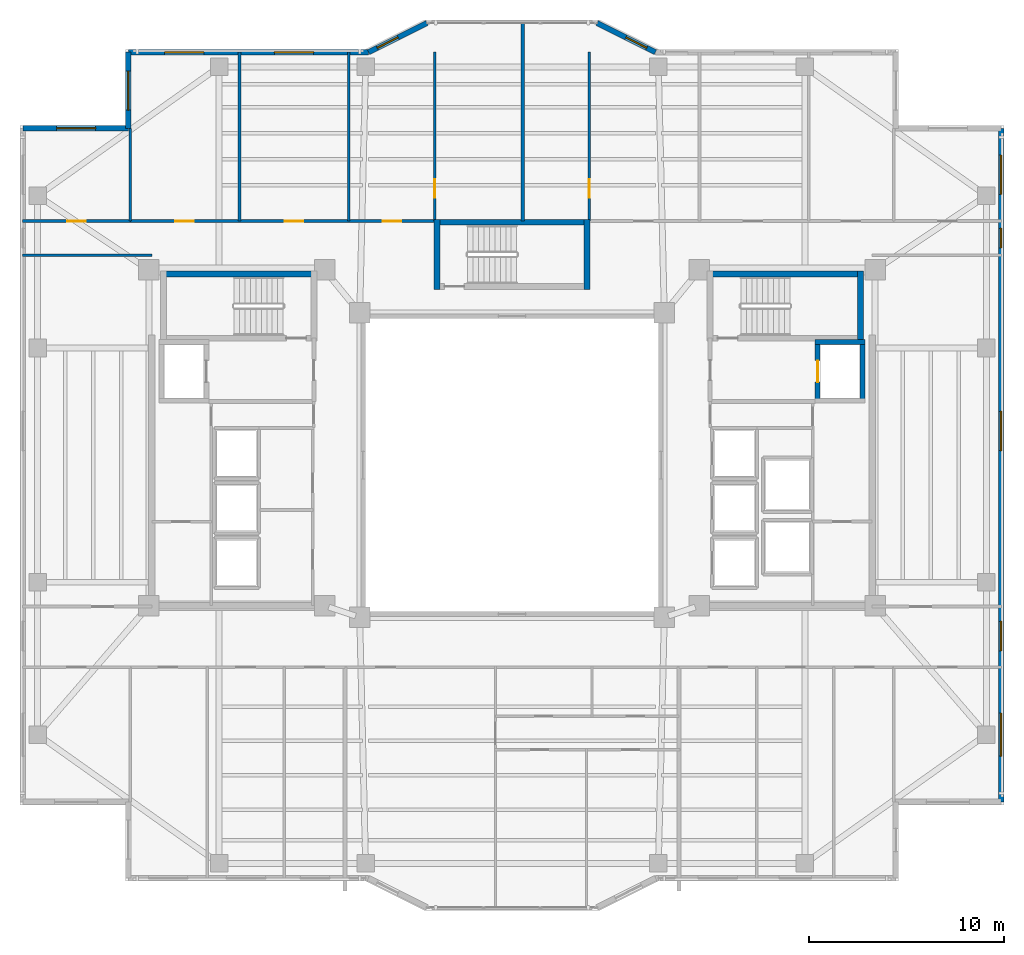
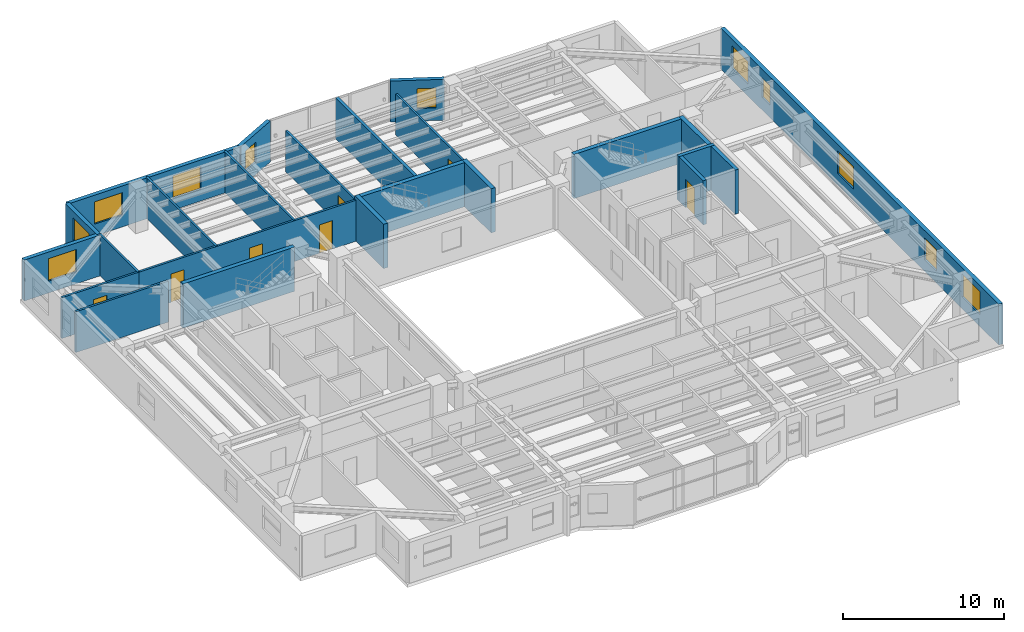
# One storey, part 9 of 15: 24 walls, 11 windows, 7 doors, 18 openings.
"""IFC4 building model written with IfcOpenShell, lengths in metres."""

from ifc_helpers import new_model, si_unit, direction, frame, frame_2d, origin, place, context, subcontext, project, spatial, rectangle, extrude, material, layer, layer_set, type_object, element, fill, save


model = new_model("IFC4")

# Units and contexts
model_context = context("Model", 3, precision=1e-05, world=origin(), true_north=direction((0.0, 1.0)))
body_context = subcontext(model_context, "Body", "Model", "MODEL_VIEW")
ifc_project = project(units=[si_unit("LENGTHUNIT", "METRE"), si_unit("AREAUNIT", "SQUARE_METRE"), si_unit("VOLUMEUNIT", "CUBIC_METRE"), si_unit("PLANEANGLEUNIT", "RADIAN"), si_unit("MASSUNIT", "GRAM", prefix="KILO")], contexts=[model_context])

# Site, building, storey
site_placement = place(None, origin())
site = spatial("IfcSite", under=ifc_project, at=site_placement, CompositionType="ELEMENT")
building_placement = place(site_placement, origin())
building = spatial("IfcBuilding", under=site, at=building_placement, Name="Tarnavaz Court Tower", CompositionType="ELEMENT")
storey_placement = place(building_placement, frame((0.0, 0.0, 139.300048828125)))
storey = spatial("IfcBuildingStorey", under=building, at=storey_placement, Name="L37", CompositionType="ELEMENT", Elevation=139.300048828125)

# Wall, opening, door
ifc_material_1 = material(Name="Concrete C50/60", Category="concrete")
ifc_layer_1 = layer(ifc_material_1, 0.25)
ifc_layer_set_1 = layer_set([ifc_layer_1], Name="Concrete C50/60")
wall_type_1 = type_object("IfcWallType", Name="WL-CORE-250-C50", PredefinedType="SHEAR", material=ifc_layer_set_1)
wall_1_placement = place(storey_placement, frame((15.64990234375, 3.175048828125, 0.0), z_axis=(0.0, 0.0, 1.0), x_axis=(0.0, 1.0, 0.0)))
wall_1 = element("IfcWall", 1, at=wall_1_placement, inside=storey, type_object=wall_type_1, Name="L37 Lift FL-E1 Shaft Wall 033", PredefinedType="SHEAR", context=body_context, shape_type="SweptSolid", body=[
    extrude(rectangle(XDim=3.25, YDim=0.25, at=frame_2d((1.625, 0.0))), origin(), (0.0, 0.0, 1.0), 3.349853515625),
])
opening_1_placement = place(wall_1_placement, frame((1.074951171875, 0.0, 0.0)))
opening_1 = element("IfcOpeningElement", 2, at=opening_1_placement, cuts=wall_1, Name="Opening LD1", PredefinedType="OPENING", context=body_context, shape_type="SweptSolid", body=[
    extrude(rectangle(XDim=1.10009765625, YDim=2.14990234375, at=frame_2d((0.550048828125, 1.074951171875))), frame((0.0, 0.135009765625, 0.0), z_axis=(0.0, -1.0, 0.0), x_axis=(1.0, 0.0, 0.0)), (0.0, 0.0, 1.0), 0.27001953125),
])
ifc_material_2 = material(Name="Stainless Steel", Category="steel")
door_type_1 = type_object("IfcDoorType", Name="DR-LD-1100", OperationType="NOTDEFINED", PredefinedType="DOOR", material=ifc_material_2)
door_1_placement = place(opening_1_placement, origin())
door_1 = element("IfcDoor", 3, at=door_1_placement, inside=storey, type_object=door_type_1, Name="L37 Lift Landing Door LD-FL-E1", OperationType="SLIDING_TO_LEFT", OverallHeight=2.14990234375, OverallWidth=1.10009765625, PredefinedType="DOOR", context=body_context, shape_type="SweptSolid", body=[
    extrude(rectangle(XDim=1.10009765625, YDim=2.14990234375, at=frame_2d((0.550048828125, 1.074951171875))), frame((0.0, 0.02490234375, 0.0), z_axis=(0.0, -1.0, 0.0), x_axis=(1.0, 0.0, 0.0)), (0.0, 0.0, 1.0), 0.050048828125),
])
fill(opening_1, door_1)

# Walls
wall_2_placement = place(storey_placement, frame((17.949951171875, 3.175048828125, 0.0), z_axis=(0.0, 0.0, 1.0), x_axis=(0.0, 1.0, 0.0)))
element("IfcWall", 4, at=wall_2_placement, inside=storey, type_object=wall_type_1, Name="L37 Lift FL-E1 Shaft Wall 034", PredefinedType="SHEAR", context=body_context, shape_type="SweptSolid", body=[
    extrude(rectangle(XDim=3.25, YDim=0.25, at=frame_2d((1.625, 0.0))), origin(), (0.0, 0.0, 1.0), 3.349853515625),
])
wall_3_placement = place(storey_placement, frame((15.52490234375, 6.300048828125, 0.0), z_axis=(0.0, 0.0, 1.0), x_axis=(1.0, 0.0, 0.0)))
element("IfcWall", 5, at=wall_3_placement, inside=storey, type_object=wall_type_1, Name="L37 Lift FL-E1 Shaft Wall 036", PredefinedType="SHEAR", context=body_context, shape_type="SweptSolid", body=[
    extrude(rectangle(XDim=2.550048828125, YDim=0.25, at=frame_2d((1.27490234375, 0.0))), origin(), (0.0, 0.0, 1.0), 3.349853515625),
])
ifc_layer_2 = layer(ifc_material_1, 0.300048828125)
ifc_layer_set_2 = layer_set([ifc_layer_2], Name="Concrete C50/60")
wall_type_2 = type_object("IfcWallType", Name="WL-CORE-300-C50", PredefinedType="SHEAR", material=ifc_layer_set_2)
for number, where, z_axis, x_axis, name in (
    (6, (-18.0, 9.7900390625, 0.0), (0.0, 0.0, 1.0), (1.0, 0.0, 0.0), "L37 West Stair Core Wall 001"),
    (7, (10.0, 9.7900390625, 0.0), (0.0, 0.0, 1.0), (1.0, 0.0, 0.0), "L37 East Stair Core Wall 005"),
):
    element("IfcWall", number, at=place(storey_placement, frame(where, z_axis=z_axis, x_axis=x_axis)), inside=storey, type_object=wall_type_2, Name=name, PredefinedType="SHEAR", context=body_context, shape_type="SweptSolid", body=[
        extrude(rectangle(XDim=8.0, YDim=0.300048828125, at=frame_2d((4.0, 0.0))), origin(), (0.0, 0.0, 1.0), 3.349853515625),
    ])
wall_4_placement = place(storey_placement, frame((17.85009765625, 6.35009765625, 0.0), z_axis=(0.0, 0.0, 1.0), x_axis=(0.0, 1.0, 0.0)))
element("IfcWall", 8, at=wall_4_placement, inside=storey, type_object=wall_type_2, Name="L37 East Stair Core Wall 008", PredefinedType="SHEAR", context=body_context, shape_type="SweptSolid", body=[
    extrude(rectangle(XDim=3.58984375, YDim=0.300048828125, at=frame_2d((1.794921875, 0.0))), origin(), (0.0, 0.0, 1.0), 3.349853515625),
])
wall_5_placement = place(storey_placement, frame((-4.0, 12.43994140625, 0.0), z_axis=(0.0, 0.0, 1.0), x_axis=(1.0, 0.0, 0.0)))
element("IfcWall", 9, at=wall_5_placement, inside=storey, type_object=wall_type_2, Name="L37 North Stair Core Wall 009", PredefinedType="SHEAR", context=body_context, shape_type="SweptSolid", body=[
    extrude(rectangle(XDim=8.0, YDim=0.300048828125, at=frame_2d((4.0, 0.0))), origin(), (0.0, 0.0, 1.0), 3.349853515625),
])
for number, where, z_axis, x_axis, name in (
    (10, (-3.85009765625, 9.0, 0.0), (0.0, 0.0, 1.0), (0.0, 1.0, 0.0), "L37 North Stair Core Wall 011"),
    (11, (3.85009765625, 9.0, 0.0), (0.0, 0.0, 1.0), (0.0, 1.0, 0.0), "L37 North Stair Core Wall 012"),
):
    element("IfcWall", number, at=place(storey_placement, frame(where, z_axis=z_axis, x_axis=x_axis)), inside=storey, type_object=wall_type_2, Name=name, PredefinedType="SHEAR", context=body_context, shape_type="SweptSolid", body=[
        extrude(rectangle(XDim=3.590087890625, YDim=0.300048828125, at=frame_2d((1.794921875, 0.0))), origin(), (0.0, 0.0, 1.0), 3.349853515625),
    ])

# Wall, opening, window
ifc_material_3 = material(Name="Precast Concrete C40/50", Category="concrete")
ifc_layer_3 = layer(ifc_material_3, 0.280029296875)
ifc_layer_set_3 = layer_set([ifc_layer_3], Name="Precast Concrete C40/50")
wall_type_3 = type_object("IfcWallType", Name="WL-EXT-280", PredefinedType="SOLIDWALL", material=ifc_layer_set_3)
wall_6_placement = place(storey_placement, frame((-25.050048828125, 17.25, 0.0), z_axis=(0.0, 0.0, 1.0), x_axis=(1.0, 0.0, 0.0)))
wall_6 = element("IfcWall", 12, at=wall_6_placement, inside=storey, type_object=wall_type_3, Name="L37 Exterior Terracotta Facade Wall 03", PredefinedType="SOLIDWALL", context=body_context, shape_type="SweptSolid", body=[
    extrude(rectangle(XDim=5.400146484375, YDim=0.280029296875, at=frame_2d((2.7001953125, 0.0))), origin(), (0.0, 0.0, 1.0), 3.099853515625),
])
opening_2_placement = place(wall_6_placement, frame((1.72509765625, 0.0, 0.89990234375)))
opening_2 = element("IfcOpeningElement", 13, at=opening_2_placement, cuts=wall_6, Name="Opening W08", PredefinedType="OPENING", context=body_context, shape_type="SweptSolid", body=[
    extrude(rectangle(XDim=2.0, YDim=1.699951171875, at=frame_2d((1.0, 0.85009765625))), frame((0.0, 0.14990234375, 0.0), z_axis=(0.0, -1.0, 0.0), x_axis=(1.0, 0.0, 0.0)), (0.0, 0.0, 1.0), 0.300048828125),
])
ifc_material_4 = material(Name="Double-Glazed Solar Low-E Glass", Category="glass")
window_type_1 = type_object("IfcWindowType", Name="WN-APT-2000", PartitioningType="DOUBLE_PANEL_VERTICAL", PredefinedType="WINDOW", material=ifc_material_4)
window_1_placement = place(opening_2_placement, origin())
window_1 = element("IfcWindow", 14, at=window_1_placement, inside=storey, type_object=window_type_1, Name="L37 North-West Corner Sunroom Study Window", OverallHeight=1.699951171875, OverallWidth=2.0, PartitioningType="SINGLE_PANEL", PredefinedType="WINDOW", context=body_context, shape_type="SweptSolid", body=[
    extrude(rectangle(XDim=2.0, YDim=1.699951171875, at=frame_2d((1.0, 0.85009765625))), frame((0.0, 0.030029296875, 0.0), z_axis=(0.0, -1.0, 0.0), x_axis=(1.0, 0.0, 0.0)), (0.0, 0.0, 1.0), 0.06005859375),
])
fill(opening_2, window_1)

wall_7_placement = place(storey_placement, frame((-19.64990234375, 17.25, 0.0), z_axis=(0.0, 0.0, 1.0), x_axis=(0.0, 1.0, 0.0)))
wall_7 = element("IfcWall", 15, at=wall_7_placement, inside=storey, type_object=wall_type_3, Name="L37 Exterior Terracotta Facade Wall 04", PredefinedType="SOLIDWALL", context=body_context, shape_type="SweptSolid", body=[
    extrude(rectangle(XDim=3.89990234375, YDim=0.280029296875, at=frame_2d((1.949951171875, 0.0))), origin(), (0.0, 0.0, 1.0), 3.099853515625),
])
opening_3_placement = place(wall_7_placement, frame((0.93212890625, 0.0, 0.89990234375)))
opening_3 = element("IfcOpeningElement", 16, at=opening_3_placement, cuts=wall_7, Name="Opening W08", PredefinedType="OPENING", context=body_context, shape_type="SweptSolid", body=[
    extrude(rectangle(XDim=2.0, YDim=1.699951171875, at=frame_2d((1.0, 0.85009765625))), frame((0.0, 0.14990234375, 0.0), z_axis=(0.0, -1.0, 0.0), x_axis=(1.0, 0.0, 0.0)), (0.0, 0.0, 1.0), 0.300048828125),
])
window_2_placement = place(opening_3_placement, origin())
window_2 = element("IfcWindow", 17, at=window_2_placement, inside=storey, type_object=window_type_1, Name="L37 Resident Co-Working Study Room Window", OverallHeight=1.699951171875, OverallWidth=2.0, PartitioningType="SINGLE_PANEL", PredefinedType="WINDOW", context=body_context, shape_type="SweptSolid", body=[
    extrude(rectangle(XDim=2.0, YDim=1.699951171875, at=frame_2d((1.0, 0.85009765625))), frame((0.0, 0.030029296875, 0.0), z_axis=(0.0, -1.0, 0.0), x_axis=(1.0, 0.0, 0.0)), (0.0, 0.0, 1.0), 0.06005859375),
])
fill(opening_3, window_2)

# Wall, openings, windows
wall_8_placement = place(storey_placement, frame((-19.64990234375, 21.14990234375, 0.0), z_axis=(0.0, 0.0, 1.0), x_axis=(1.0, 0.0, 0.0)))
wall_8 = element("IfcWall", 18, at=wall_8_placement, inside=storey, type_object=wall_type_3, Name="L37 Exterior Terracotta Facade Wall 05", PredefinedType="SOLIDWALL", context=body_context, shape_type="SweptSolid", body=[
    extrude(rectangle(XDim=12.2998046875, YDim=0.280029296875, at=frame_2d((6.14990234375, 0.0))), origin(), (0.0, 0.0, 1.0), 3.099853515625),
])
opening_4_placement = place(wall_8_placement, frame((1.861572265625, 0.0, 0.89990234375)))
opening_4 = element("IfcOpeningElement", 19, at=opening_4_placement, cuts=wall_8, Name="Opening W08", PredefinedType="OPENING", context=body_context, shape_type="SweptSolid", body=[
    extrude(rectangle(XDim=2.0, YDim=1.699951171875, at=frame_2d((1.0, 0.85009765625))), frame((0.0, 0.14990234375, 0.0), z_axis=(0.0, -1.0, 0.0), x_axis=(1.0, 0.0, 0.0)), (0.0, 0.0, 1.0), 0.300048828125),
])
opening_5_placement = place(wall_8_placement, frame((7.484619140625, 0.0, 0.89990234375)))
opening_5 = element("IfcOpeningElement", 20, at=opening_5_placement, cuts=wall_8, Name="Opening W08", PredefinedType="OPENING", context=body_context, shape_type="SweptSolid", body=[
    extrude(rectangle(XDim=2.0, YDim=1.699951171875, at=frame_2d((1.0, 0.85009765625))), frame((0.0, 0.14990234375, 0.0), z_axis=(0.0, -1.0, 0.0), x_axis=(1.0, 0.0, 0.0)), (0.0, 0.0, 1.0), 0.300048828125),
])
window_3_placement = place(opening_4_placement, origin())
window_3 = element("IfcWindow", 21, at=window_3_placement, inside=storey, type_object=window_type_1, Name="L37 Resident Co-Working Study Room Window", OverallHeight=1.699951171875, OverallWidth=2.0, PartitioningType="SINGLE_PANEL", PredefinedType="WINDOW", context=body_context, shape_type="SweptSolid", body=[
    extrude(rectangle(XDim=2.0, YDim=1.699951171875, at=frame_2d((1.0, 0.85009765625))), frame((0.0, 0.030029296875, 0.0), z_axis=(0.0, -1.0, 0.0), x_axis=(1.0, 0.0, 0.0)), (0.0, 0.0, 1.0), 0.06005859375),
])
fill(opening_4, window_3)
window_4_placement = place(opening_5_placement, origin())
window_4 = element("IfcWindow", 22, at=window_4_placement, inside=storey, type_object=window_type_1, Name="L37 Quiet Reading Library Room Window", OverallHeight=1.699951171875, OverallWidth=2.0, PartitioningType="SINGLE_PANEL", PredefinedType="WINDOW", context=body_context, shape_type="SweptSolid", body=[
    extrude(rectangle(XDim=2.0, YDim=1.699951171875, at=frame_2d((1.0, 0.85009765625))), frame((0.0, 0.030029296875, 0.0), z_axis=(0.0, -1.0, 0.0), x_axis=(1.0, 0.0, 0.0)), (0.0, 0.0, 1.0), 0.06005859375),
])
fill(opening_5, window_4)

# Wall, opening, window
wall_9_placement = place(storey_placement, frame((-7.35009765625, 21.14990234375, 0.0), z_axis=(0.0, 0.0, 1.0), x_axis=(0.894427191, 0.4472135955, 0.0)))
wall_9 = element("IfcWall", 23, at=wall_9_placement, inside=storey, type_object=wall_type_3, Name="L37 Exterior Terracotta Facade Wall 06", PredefinedType="SOLIDWALL", context=body_context, shape_type="SweptSolid", body=[
    extrude(rectangle(XDim=3.35400390625, YDim=0.280029296875, at=frame_2d((1.677001953125, 0.0))), origin(), (0.0, 0.0, 1.0), 3.099853515625),
])
opening_6_placement = place(wall_9_placement, frame((0.501220703125, 0.0, 0.949951171875)))
opening_6 = element("IfcOpeningElement", 24, at=opening_6_placement, cuts=wall_9, Name="Opening W05", PredefinedType="OPENING", context=body_context, shape_type="SweptSolid", body=[
    extrude(rectangle(XDim=1.199951171875, YDim=1.5, at=frame_2d((0.60009765625, 0.75))), frame((0.0, 0.14990234375, 0.0), z_axis=(0.0, -1.0, 0.0), x_axis=(1.0, 0.0, 0.0)), (0.0, 0.0, 1.0), 0.300048828125),
])
window_type_2 = type_object("IfcWindowType", Name="WN-APT-1200", PartitioningType="SINGLE_PANEL", PredefinedType="WINDOW", material=ifc_material_4)
window_5_placement = place(opening_6_placement, origin())
window_5 = element("IfcWindow", 25, at=window_5_placement, inside=storey, type_object=window_type_2, Name="L37 Resident Focus Seminar Room Window", OverallHeight=1.5, OverallWidth=1.199951171875, PartitioningType="SINGLE_PANEL", PredefinedType="WINDOW", context=body_context, shape_type="SweptSolid", body=[
    extrude(rectangle(XDim=1.199951171875, YDim=1.5, at=frame_2d((0.60009765625, 0.75))), frame((0.0, 0.030029296875, 0.0), z_axis=(0.0, -1.0, 0.0), x_axis=(1.0, 0.0, 0.0)), (0.0, 0.0, 1.0), 0.06005859375),
])
fill(opening_6, window_5)

wall_10_placement = place(storey_placement, frame((4.35009765625, 22.64990234375, 0.0), z_axis=(0.0, 0.0, 1.0), x_axis=(0.894427191, -0.4472135955, 0.0)))
wall_10 = element("IfcWall", 26, at=wall_10_placement, inside=storey, type_object=wall_type_3, Name="L37 Exterior Terracotta Facade Wall 08", PredefinedType="SOLIDWALL", context=body_context, shape_type="SweptSolid", body=[
    extrude(rectangle(XDim=3.35400390625, YDim=0.280029296875, at=frame_2d((1.677001953125, 0.0))), origin(), (0.0, 0.0, 1.0), 3.099853515625),
])
opening_7_placement = place(wall_10_placement, frame((1.65283203125, 0.0, 0.949951171875)))
opening_7 = element("IfcOpeningElement", 27, at=opening_7_placement, cuts=wall_10, Name="Opening W05", PredefinedType="OPENING", context=body_context, shape_type="SweptSolid", body=[
    extrude(rectangle(XDim=1.199951171875, YDim=1.5, at=frame_2d((0.60009765625, 0.75))), frame((0.0, 0.14990234375, 0.0), z_axis=(0.0, -1.0, 0.0), x_axis=(1.0, 0.0, 0.0)), (0.0, 0.0, 1.0), 0.300048828125),
])
window_6_placement = place(opening_7_placement, origin())
window_6 = element("IfcWindow", 28, at=window_6_placement, inside=storey, type_object=window_type_2, Name="L37 Resident Co-Working Study Room Window", OverallHeight=1.5, OverallWidth=1.199951171875, PartitioningType="SINGLE_PANEL", PredefinedType="WINDOW", context=body_context, shape_type="SweptSolid", body=[
    extrude(rectangle(XDim=1.199951171875, YDim=1.5, at=frame_2d((0.60009765625, 0.75))), frame((0.0, 0.030029296875, 0.0), z_axis=(0.0, -1.0, 0.0), x_axis=(1.0, 0.0, 0.0)), (0.0, 0.0, 1.0), 0.06005859375),
])
fill(opening_7, window_6)

# Wall, openings, windows
wall_11_placement = place(storey_placement, frame((25.050048828125, 17.25, 0.0), z_axis=(0.0, 0.0, 1.0), x_axis=(0.0, -1.0, 0.0)))
wall_11 = element("IfcWall", 29, at=wall_11_placement, inside=storey, type_object=wall_type_3, Name="L37 Exterior Terracotta Facade Wall 12", PredefinedType="SOLIDWALL", context=body_context, shape_type="SweptSolid", body=[
    extrude(rectangle(XDim=34.5, YDim=0.280029296875, at=frame_2d((17.25, 0.0))), origin(), (0.0, 0.0, 1.0), 3.099853515625),
])
opening_8_placement = place(wall_11_placement, frame((1.375, 0.0, 0.89990234375)))
opening_8 = element("IfcOpeningElement", 30, at=opening_8_placement, cuts=wall_11, Name="Opening W08", PredefinedType="OPENING", context=body_context, shape_type="SweptSolid", body=[
    extrude(rectangle(XDim=2.0, YDim=1.699951171875, at=frame_2d((1.0, 0.85009765625))), frame((0.0, 0.14990234375, 0.0), z_axis=(0.0, -1.0, 0.0), x_axis=(1.0, 0.0, 0.0)), (0.0, 0.0, 1.0), 0.300048828125),
])
opening_9_placement = place(wall_11_placement, frame((5.125, 0.0, 0.949951171875)))
opening_9 = element("IfcOpeningElement", 31, at=opening_9_placement, cuts=wall_11, Name="Opening W14", PredefinedType="OPENING", context=body_context, shape_type="SweptSolid", body=[
    extrude(rectangle(XDim=1.0, YDim=1.5, at=frame_2d((0.5, 0.75))), frame((0.0, 0.14990234375, 0.0), z_axis=(0.0, -1.0, 0.0), x_axis=(1.0, 0.0, 0.0)), (0.0, 0.0, 1.0), 0.300048828125),
])
opening_10_placement = place(wall_11_placement, frame((14.5, 0.0, 0.89990234375)))
opening_10 = element("IfcOpeningElement", 32, at=opening_10_placement, cuts=wall_11, Name="Opening W08", PredefinedType="OPENING", context=body_context, shape_type="SweptSolid", body=[
    extrude(rectangle(XDim=2.0, YDim=1.699951171875, at=frame_2d((1.0, 0.85009765625))), frame((0.0, 0.14990234375, 0.0), z_axis=(0.0, -1.0, 0.0), x_axis=(1.0, 0.0, 0.0)), (0.0, 0.0, 1.0), 0.300048828125),
])
opening_11_placement = place(wall_11_placement, frame((25.257568359375, 0.0, 0.89990234375)))
opening_11 = element("IfcOpeningElement", 33, at=opening_11_placement, cuts=wall_11, Name="Opening W03", PredefinedType="OPENING", context=body_context, shape_type="SweptSolid", body=[
    extrude(rectangle(XDim=1.5, YDim=1.64990234375, at=frame_2d((0.75, 0.824951171875))), frame((0.0, 0.14990234375, 0.0), z_axis=(0.0, -1.0, 0.0), x_axis=(1.0, 0.0, 0.0)), (0.0, 0.0, 1.0), 0.300048828125),
])
opening_12_placement = place(wall_11_placement, frame((29.949951171875, 0.0, 0.89990234375)))
opening_12 = element("IfcOpeningElement", 34, at=opening_12_placement, cuts=wall_11, Name="Opening W07", PredefinedType="OPENING", context=body_context, shape_type="SweptSolid", body=[
    extrude(rectangle(XDim=2.199951171875, YDim=1.75, at=frame_2d((1.10009765625, 0.875))), frame((0.0, 0.14990234375, 0.0), z_axis=(0.0, -1.0, 0.0), x_axis=(1.0, 0.0, 0.0)), (0.0, 0.0, 1.0), 0.300048828125),
])
window_type_3 = type_object("IfcWindowType", Name="WN-APT-1000", PartitioningType="SINGLE_PANEL", PredefinedType="WINDOW", material=ifc_material_4)
window_7_placement = place(opening_9_placement, origin())
window_7 = element("IfcWindow", 35, at=window_7_placement, inside=storey, type_object=window_type_3, Name="L37 North-East Corner Corridor Window", OverallHeight=1.5, OverallWidth=1.0, PartitioningType="SINGLE_PANEL", PredefinedType="WINDOW", context=body_context, shape_type="SweptSolid", body=[
    extrude(rectangle(XDim=1.0, YDim=1.5, at=frame_2d((0.5, 0.75))), frame((0.0, 0.030029296875, 0.0), z_axis=(0.0, -1.0, 0.0), x_axis=(1.0, 0.0, 0.0)), (0.0, 0.0, 1.0), 0.06005859375),
])
fill(opening_9, window_7)
window_type_4 = type_object("IfcWindowType", Name="WN-APT-1500", PartitioningType="DOUBLE_PANEL_VERTICAL", PredefinedType="WINDOW", material=ifc_material_4)
window_8_placement = place(opening_11_placement, origin())
window_8 = element("IfcWindow", 36, at=window_8_placement, inside=storey, type_object=window_type_4, Name="L37 South-East Corner Corridor Window", OverallHeight=1.64990234375, OverallWidth=1.5, PartitioningType="SINGLE_PANEL", PredefinedType="WINDOW", context=body_context, shape_type="SweptSolid", body=[
    extrude(rectangle(XDim=1.5, YDim=1.64990234375, at=frame_2d((0.75, 0.824951171875))), frame((0.0, 0.030029296875, 0.0), z_axis=(0.0, -1.0, 0.0), x_axis=(1.0, 0.0, 0.0)), (0.0, 0.0, 1.0), 0.06005859375),
])
fill(opening_11, window_8)
window_9_placement = place(opening_8_placement, origin())
window_9 = element("IfcWindow", 37, at=window_9_placement, inside=storey, type_object=window_type_1, Name="L37 North-East Corner Sunroom Study Window", OverallHeight=1.699951171875, OverallWidth=2.0, PartitioningType="SINGLE_PANEL", PredefinedType="WINDOW", context=body_context, shape_type="SweptSolid", body=[
    extrude(rectangle(XDim=2.0, YDim=1.699951171875, at=frame_2d((1.0, 0.85009765625))), frame((0.0, 0.030029296875, 0.0), z_axis=(0.0, -1.0, 0.0), x_axis=(1.0, 0.0, 0.0)), (0.0, 0.0, 1.0), 0.06005859375),
])
fill(opening_8, window_9)
window_10_placement = place(opening_10_placement, origin())
window_10 = element("IfcWindow", 38, at=window_10_placement, inside=storey, type_object=window_type_1, Name="L37 East Wing Resident Fitness Lounge Window", OverallHeight=1.699951171875, OverallWidth=2.0, PartitioningType="SINGLE_PANEL", PredefinedType="WINDOW", context=body_context, shape_type="SweptSolid", body=[
    extrude(rectangle(XDim=2.0, YDim=1.699951171875, at=frame_2d((1.0, 0.85009765625))), frame((0.0, 0.030029296875, 0.0), z_axis=(0.0, -1.0, 0.0), x_axis=(1.0, 0.0, 0.0)), (0.0, 0.0, 1.0), 0.06005859375),
])
fill(opening_10, window_10)
window_type_5 = type_object("IfcWindowType", Name="WN-APT-2200", PartitioningType="TRIPLE_PANEL_VERTICAL", PredefinedType="WINDOW", material=ifc_material_4)
window_11_placement = place(opening_12_placement, origin())
window_11 = element("IfcWindow", 39, at=window_11_placement, inside=storey, type_object=window_type_5, Name="L37 South-East Corner Reading Room Window", OverallHeight=1.75, OverallWidth=2.199951171875, PartitioningType="SINGLE_PANEL", PredefinedType="WINDOW", context=body_context, shape_type="SweptSolid", body=[
    extrude(rectangle(XDim=2.199951171875, YDim=1.75, at=frame_2d((1.10009765625, 0.875))), frame((0.0, 0.030029296875, 0.0), z_axis=(0.0, -1.0, 0.0), x_axis=(1.0, 0.0, 0.0)), (0.0, 0.0, 1.0), 0.06005859375),
])
fill(opening_12, window_11)

# Wall, openings, doors
ifc_material_5 = material(Name="Gypsum Fire-Board on Acoustic Metal Stud", Category="masonry")
ifc_layer_4 = layer(ifc_material_5, 0.14990234375)
ifc_layer_set_4 = layer_set([ifc_layer_4], Name="Gypsum Fire-Board on Acoustic Metal Stud")
wall_type_4 = type_object("IfcWallType", Name="WL-FIRE-150", PredefinedType="PARTITIONING", material=ifc_layer_set_4)
wall_12_placement = place(storey_placement, frame((-19.550048828125, 12.5, 0.0), z_axis=(0.0, 0.0, 1.0), x_axis=(1.0, 0.0, 0.0)))
wall_12 = element("IfcWall", 40, at=wall_12_placement, inside=storey, type_object=wall_type_4, Name="L37 NW Wing Corridor Wall 071", PredefinedType="PARTITIONING", context=body_context, shape_type="SweptSolid", body=[
    extrude(rectangle(XDim=15.699951171875, YDim=0.14990234375, at=frame_2d((7.85009765625, 0.0))), origin(), (0.0, 0.0, 1.0), 3.099853515625),
])
opening_13_placement = place(wall_12_placement, frame((2.2919921875, 0.0, 0.0)))
opening_13 = element("IfcOpeningElement", 41, at=opening_13_placement, cuts=wall_12, Name="Opening D13", PredefinedType="OPENING", context=body_context, shape_type="SweptSolid", body=[
    extrude(rectangle(XDim=0.949951171875, YDim=2.14990234375, at=frame_2d((0.47509765625, 1.074951171875))), frame((0.0, 0.0849609375, 0.0), z_axis=(0.0, -1.0, 0.0), x_axis=(1.0, 0.0, 0.0)), (0.0, 0.0, 1.0), 0.169921875),
])
opening_14_placement = place(wall_12_placement, frame((7.9169921875, 0.0, 0.0)))
opening_14 = element("IfcOpeningElement", 42, at=opening_14_placement, cuts=wall_12, Name="Opening D13", PredefinedType="OPENING", context=body_context, shape_type="SweptSolid", body=[
    extrude(rectangle(XDim=0.949951171875, YDim=2.14990234375, at=frame_2d((0.47509765625, 1.074951171875))), frame((0.0, 0.0849609375, 0.0), z_axis=(0.0, -1.0, 0.0), x_axis=(1.0, 0.0, 0.0)), (0.0, 0.0, 1.0), 0.169921875),
])
opening_15_placement = place(wall_12_placement, frame((12.919921875, 0.0, 0.0)))
opening_15 = element("IfcOpeningElement", 43, at=opening_15_placement, cuts=wall_12, Name="Opening D13", PredefinedType="OPENING", context=body_context, shape_type="SweptSolid", body=[
    extrude(rectangle(XDim=0.949951171875, YDim=2.14990234375, at=frame_2d((0.47509765625, 1.074951171875))), frame((0.0, 0.0849609375, 0.0), z_axis=(0.0, -1.0, 0.0), x_axis=(1.0, 0.0, 0.0)), (0.0, 0.0, 1.0), 0.169921875),
])
ifc_material_6 = material(Name="Engineered Oak Timber", Category="wood")
door_type_2 = type_object("IfcDoorType", Name="DR-INT-950", OperationType="NOTDEFINED", PredefinedType="DOOR", material=ifc_material_6)
door_2_placement = place(opening_13_placement, origin())
door_2 = element("IfcDoor", 44, at=door_2_placement, inside=storey, type_object=door_type_2, Name="L37 Resident Co-Working Study Room Door", OperationType="SINGLE_SWING_LEFT", OverallHeight=2.14990234375, OverallWidth=0.949951171875, PredefinedType="DOOR", context=body_context, shape_type="SweptSolid", body=[
    extrude(rectangle(XDim=0.949951171875, YDim=2.14990234375, at=frame_2d((0.47509765625, 1.074951171875))), frame((0.0, 0.02490234375, 0.0), z_axis=(0.0, -1.0, 0.0), x_axis=(1.0, 0.0, 0.0)), (0.0, 0.0, 1.0), 0.050048828125),
])
fill(opening_13, door_2)
door_3_placement = place(opening_14_placement, origin())
door_3 = element("IfcDoor", 45, at=door_3_placement, inside=storey, type_object=door_type_2, Name="L37 Quiet Reading Library Room Door", OperationType="SINGLE_SWING_RIGHT", OverallHeight=2.14990234375, OverallWidth=0.949951171875, PredefinedType="DOOR", context=body_context, shape_type="SweptSolid", body=[
    extrude(rectangle(XDim=0.949951171875, YDim=2.14990234375, at=frame_2d((0.47509765625, 1.074951171875))), frame((0.0, 0.02490234375, 0.0), z_axis=(0.0, -1.0, 0.0), x_axis=(1.0, 0.0, 0.0)), (0.0, 0.0, 1.0), 0.050048828125),
])
fill(opening_14, door_3)
door_4_placement = place(opening_15_placement, origin())
door_4 = element("IfcDoor", 46, at=door_4_placement, inside=storey, type_object=door_type_2, Name="L37 Resident Focus Seminar Room Door", OperationType="SINGLE_SWING_LEFT", OverallHeight=2.14990234375, OverallWidth=0.949951171875, PredefinedType="DOOR", context=body_context, shape_type="SweptSolid", body=[
    extrude(rectangle(XDim=0.949951171875, YDim=2.14990234375, at=frame_2d((0.47509765625, 1.074951171875))), frame((0.0, 0.02490234375, 0.0), z_axis=(0.0, -1.0, 0.0), x_axis=(1.0, 0.0, 0.0)), (0.0, 0.0, 1.0), 0.050048828125),
])
fill(opening_15, door_4)

# Wall
wall_13_placement = place(storey_placement, frame((-25.080078125, 10.75, 0.0), z_axis=(0.0, 0.0, 1.0), x_axis=(1.0, 0.0, 0.0)))
element("IfcWall", 47, at=wall_13_placement, inside=storey, type_object=wall_type_4, Name="L37 Interior Partition 096", PredefinedType="PARTITIONING", context=body_context, shape_type="SweptSolid", body=[
    extrude(rectangle(XDim=6.630126953125, YDim=0.14990234375, at=frame_2d((3.31494140625, 0.0))), origin(), (0.0, 0.0, 1.0), 3.099853515625),
])

# Wall, opening, door
wall_14_placement = place(storey_placement, frame((-25.080078125, 12.5, 0.0), z_axis=(0.0, 0.0, 1.0), x_axis=(1.0, 0.0, 0.0)))
wall_14 = element("IfcWall", 48, at=wall_14_placement, inside=storey, type_object=wall_type_4, Name="L37 Interior Partition 103", PredefinedType="PARTITIONING", context=body_context, shape_type="SweptSolid", body=[
    extrude(rectangle(XDim=5.530029296875, YDim=0.14990234375, at=frame_2d((2.76513671875, 0.0))), origin(), (0.0, 0.0, 1.0), 3.099853515625),
])
opening_16_placement = place(wall_14_placement, frame((2.2900390625, 0.0, 0.0)))
opening_16 = element("IfcOpeningElement", 49, at=opening_16_placement, cuts=wall_14, Name="Opening D13", PredefinedType="OPENING", context=body_context, shape_type="SweptSolid", body=[
    extrude(rectangle(XDim=0.949951171875, YDim=2.14990234375, at=frame_2d((0.47509765625, 1.074951171875))), frame((0.0, 0.0849609375, 0.0), z_axis=(0.0, -1.0, 0.0), x_axis=(1.0, 0.0, 0.0)), (0.0, 0.0, 1.0), 0.169921875),
])
door_5_placement = place(opening_16_placement, origin())
door_5 = element("IfcDoor", 50, at=door_5_placement, inside=storey, type_object=door_type_2, Name="L37 NW Sunroom Door", OperationType="SINGLE_SWING_LEFT", OverallHeight=2.14990234375, OverallWidth=0.949951171875, PredefinedType="DOOR", context=body_context, shape_type="SweptSolid", body=[
    extrude(rectangle(XDim=0.949951171875, YDim=2.14990234375, at=frame_2d((0.47509765625, 1.074951171875))), frame((0.0, 0.02490234375, 0.0), z_axis=(0.0, -1.0, 0.0), x_axis=(1.0, 0.0, 0.0)), (0.0, 0.0, 1.0), 0.050048828125),
])
fill(opening_16, door_5)

# Wall
ifc_material_7 = material(Name="Autoclaved Aerated Concrete Blockwork", Category="masonry")
ifc_layer_5 = layer(ifc_material_7, 0.199951171875)
ifc_layer_set_5 = layer_set([ifc_layer_5], Name="Autoclaved Aerated Concrete Blockwork")
wall_type_5 = type_object("IfcWallType", Name="WL-FIRE-200", PredefinedType="SOLIDWALL", material=ifc_layer_set_5)
wall_15_placement = place(storey_placement, frame((0.550048828125, 12.5, 0.0), z_axis=(0.0, 0.0, 1.0), x_axis=(0.0, 1.0, 0.0)))
element("IfcWall", 51, at=wall_15_placement, inside=storey, type_object=wall_type_5, Name="L37 North Center Party Wall 075", PredefinedType="SOLIDWALL", context=body_context, shape_type="SweptSolid", body=[
    extrude(rectangle(XDim=10.179931640625, YDim=0.199951171875, at=frame_2d((5.08984375, 0.0))), origin(), (0.0, 0.0, 1.0), 3.099853515625),
])

# Wall, opening, door
ifc_material_8 = material(Name="Gypsum Plasterboard Acoustic Partition", Category="masonry")
ifc_layer_6 = layer(ifc_material_8, 0.139892578125)
ifc_layer_set_6 = layer_set([ifc_layer_6], Name="Gypsum Plasterboard Acoustic Partition")
wall_type_6 = type_object("IfcWallType", Name="WL-PART-150", PredefinedType="PARTITIONING", material=ifc_layer_set_6)
wall_16_placement = place(storey_placement, frame((-3.949951171875, 12.5, 0.0), z_axis=(0.0, 0.0, 1.0), x_axis=(0.0, 1.0, 0.0)))
wall_16 = element("IfcWall", 52, at=wall_16_placement, inside=storey, type_object=wall_type_6, Name="L37 Interior Partition 076", PredefinedType="PARTITIONING", context=body_context, shape_type="SweptSolid", body=[
    extrude(rectangle(XDim=8.64990234375, YDim=0.139892578125, at=frame_2d((4.324951171875, 0.0))), origin(), (0.0, 0.0, 1.0), 3.099853515625),
])
opening_17_placement = place(wall_16_placement, frame((1.199951171875, 0.0, 0.0)))
opening_17 = element("IfcOpeningElement", 53, at=opening_17_placement, cuts=wall_16, Name="Opening D13", PredefinedType="OPENING", context=body_context, shape_type="SweptSolid", body=[
    extrude(rectangle(XDim=0.949951171875, YDim=2.14990234375, at=frame_2d((0.47509765625, 1.074951171875))), frame((0.0, 0.079833984375, 0.0), z_axis=(0.0, -1.0, 0.0), x_axis=(1.0, 0.0, 0.0)), (0.0, 0.0, 1.0), 0.159912109375),
])
door_6_placement = place(opening_17_placement, origin())
door_6 = element("IfcDoor", 54, at=door_6_placement, inside=storey, type_object=door_type_2, Name="L37 NW Iwan Study Door", OperationType="SINGLE_SWING_RIGHT", OverallHeight=2.14990234375, OverallWidth=0.949951171875, PredefinedType="DOOR", context=body_context, shape_type="SweptSolid", body=[
    extrude(rectangle(XDim=0.949951171875, YDim=2.14990234375, at=frame_2d((0.47509765625, 1.074951171875))), frame((0.0, 0.02490234375, 0.0), z_axis=(0.0, -1.0, 0.0), x_axis=(1.0, 0.0, 0.0)), (0.0, 0.0, 1.0), 0.050048828125),
])
fill(opening_17, door_6)

# Walls
for number, where, z_axis, x_axis, name in (
    (55, (-13.9560546875, 12.5, 0.0), (0.0, 0.0, 1.0), (0.0, 1.0, 0.0), "L37 Interior Partition 077"),
    (56, (-8.361083984375, 12.5, 0.0), (0.0, 0.0, 1.0), (0.0, 1.0, 0.0), "L37 Interior Partition 078"),
):
    element("IfcWall", number, at=place(storey_placement, frame(where, z_axis=z_axis, x_axis=x_axis)), inside=storey, type_object=wall_type_6, Name=name, PredefinedType="PARTITIONING", context=body_context, shape_type="SweptSolid", body=[
        extrude(rectangle(XDim=8.64990234375, YDim=0.139892578125, at=frame_2d((4.324951171875, 0.0))), origin(), (0.0, 0.0, 1.0), 3.099853515625),
    ])

# Wall, opening, door
wall_17_placement = place(storey_placement, frame((3.949951171875, 12.5, 0.0), z_axis=(0.0, 0.0, 1.0), x_axis=(0.0, 1.0, 0.0)))
wall_17 = element("IfcWall", 57, at=wall_17_placement, inside=storey, type_object=wall_type_6, Name="L37 Interior Partition 079", PredefinedType="PARTITIONING", context=body_context, shape_type="SweptSolid", body=[
    extrude(rectangle(XDim=8.64990234375, YDim=0.139892578125, at=frame_2d((4.324951171875, 0.0))), origin(), (0.0, 0.0, 1.0), 3.099853515625),
])
opening_18_placement = place(wall_17_placement, frame((1.199951171875, 0.0, 0.0)))
opening_18 = element("IfcOpeningElement", 58, at=opening_18_placement, cuts=wall_17, Name="Opening D13", PredefinedType="OPENING", context=body_context, shape_type="SweptSolid", body=[
    extrude(rectangle(XDim=0.949951171875, YDim=2.14990234375, at=frame_2d((0.47509765625, 1.074951171875))), frame((0.0, 0.079833984375, 0.0), z_axis=(0.0, -1.0, 0.0), x_axis=(1.0, 0.0, 0.0)), (0.0, 0.0, 1.0), 0.159912109375),
])
door_7_placement = place(opening_18_placement, origin())
door_7 = element("IfcDoor", 59, at=door_7_placement, inside=storey, type_object=door_type_2, Name="L37 NE Iwan Reading Door", OperationType="SINGLE_SWING_RIGHT", OverallHeight=2.14990234375, OverallWidth=0.949951171875, PredefinedType="DOOR", context=body_context, shape_type="SweptSolid", body=[
    extrude(rectangle(XDim=0.949951171875, YDim=2.14990234375, at=frame_2d((0.47509765625, 1.074951171875))), frame((0.0, 0.02490234375, 0.0), z_axis=(0.0, -1.0, 0.0), x_axis=(1.0, 0.0, 0.0)), (0.0, 0.0, 1.0), 0.050048828125),
])
fill(opening_18, door_7)

# Wall
wall_18_placement = place(storey_placement, frame((-19.550048828125, 12.5, 0.0), z_axis=(0.0, 0.0, 1.0), x_axis=(0.0, 1.0, 0.0)))
element("IfcWall", 60, at=wall_18_placement, inside=storey, type_object=wall_type_6, Name="L37 Interior Partition 101", PredefinedType="PARTITIONING", context=body_context, shape_type="SweptSolid", body=[
    extrude(rectangle(XDim=4.75, YDim=0.139892578125, at=frame_2d((2.375, 0.0))), origin(), (0.0, 0.0, 1.0), 3.099853515625),
])

save(model, "model.ifc")
